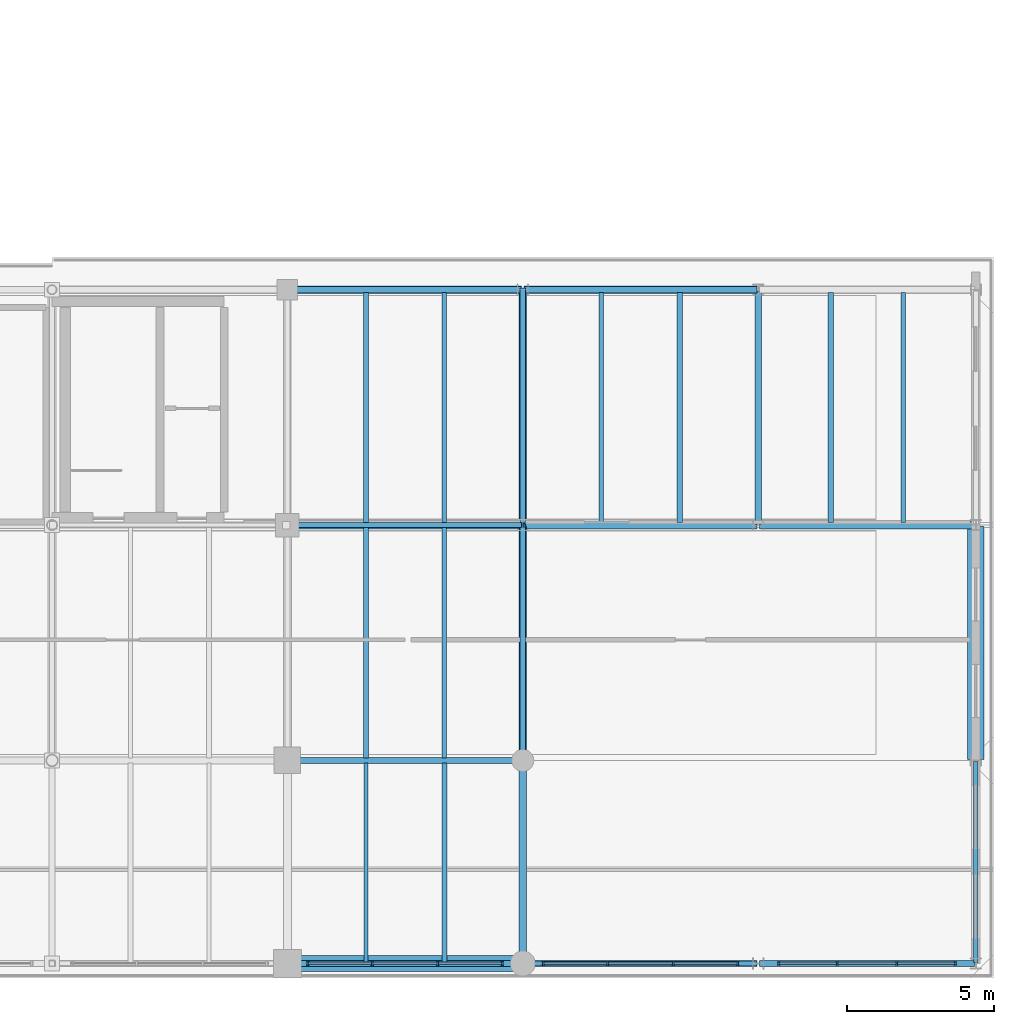
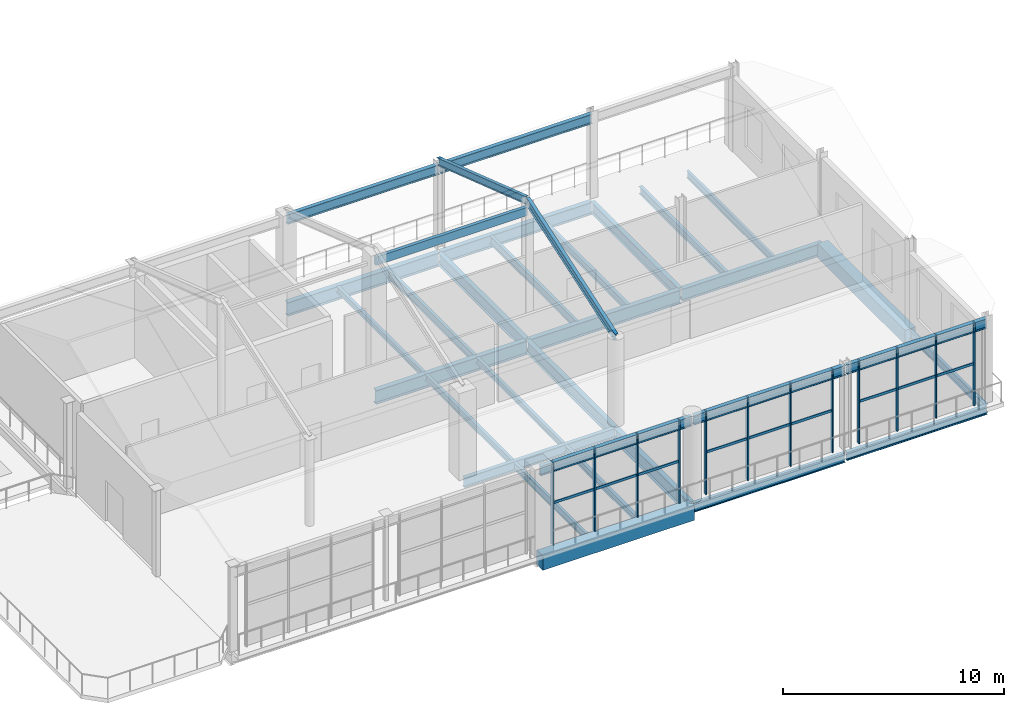
# One storey, part 25 of 51: 30 beams, 24 members, 3 elements without a shape of their own.
"""IFC4 building model written with IfcOpenShell, lengths in metres."""

from ifc_helpers import new_model, si_unit, direction, frame, origin, origin_2d, place, context, subcontext, project, spatial, rectangle, i_section, extrude, material, material_profile, profile_set, type_object, element, aggregate, save


model = new_model("IFC4")

# Units and contexts
model_context = context("Model", 3, precision=1e-05, world=origin(), true_north=direction((0.0, 1.0)))
body_context = subcontext(model_context, "Body", "Model", "MODEL_VIEW")
ifc_project = project(units=[si_unit("LENGTHUNIT", "METRE"), si_unit("AREAUNIT", "SQUARE_METRE"), si_unit("VOLUMEUNIT", "CUBIC_METRE"), si_unit("PLANEANGLEUNIT", "RADIAN"), si_unit("MASSUNIT", "GRAM", prefix="KILO")], contexts=[model_context])

# Site, building, storey
site_placement = place(None, origin())
site = spatial("IfcSite", under=ifc_project, at=site_placement, CompositionType="ELEMENT")
building_placement = place(site_placement, origin())
building = spatial("IfcBuilding", under=site, at=building_placement, Name="Brisemont Oceanarium", CompositionType="ELEMENT")
storey_placement = place(building_placement, frame((0.0, 0.0, 15.0)))
storey = spatial("IfcBuildingStorey", under=building, at=storey_placement, Name="L03", CompositionType="ELEMENT", Elevation=15.0)

# Beams
ifc_material_1 = material(Name="Concrete C40/50", Category="concrete")
ifc_material_profile_1 = material_profile(ifc_material_1, rectangle(XDim=0.550048828125, YDim=0.800048828125, at=origin_2d()), Name="RC-BM-550X800")
ifc_profile_set_1 = profile_set([ifc_material_profile_1], Name="Concrete C40/50")
beam_type_1 = type_object("IfcBeamType", Name="BM-RC550X800", PredefinedType="SPANDREL", material=ifc_profile_set_1)
for number, where, z_axis, x_axis, name in (
    (1, (136.0400390625, 1.10009765625, -0.639892578125), (1.0, 0.0, 0.0), (0.0, 1.0, 0.0), "V3 L03 EW girder"),
    (2, (159.39990234375, 8.0400390625, -0.639892578125), (0.0, 1.0, 0.0), (-1.0, 0.0, 0.0), "V3 L03 NS girder"),
):
    element("IfcBeam", number, at=place(storey_placement, frame(where, z_axis=z_axis, x_axis=x_axis)), inside=storey, type_object=beam_type_1, Name=name, PredefinedType="SPANDREL", context=body_context, shape_type="SweptSolid", body=[
        extrude(rectangle(XDim=0.550048828125, YDim=0.800048828125, at=origin_2d()), origin(), (0.0, 0.0, 1.0), 7.919921875),
    ])
ifc_material_2 = material(Name="Structural Steel ASTM A992 Gr.50", Category="steel")
ifc_material_profile_2 = material_profile(ifc_material_2, i_section(OverallWidth=0.1650390625, OverallDepth=0.31005859375, WebThickness=0.005859375, FlangeThickness=0.009765625, FilletRadius=0.008056640625, at=origin_2d()), Name="W12X26")
ifc_profile_set_2 = profile_set([ifc_material_profile_2], Name="Structural Steel ASTM A992 Gr.50")
beam_type_2 = type_object("IfcBeamType", Name="BM-W12X26", PredefinedType="JOIST", material=ifc_profile_set_2)
for number, where, z_axis, x_axis, name in (
    (3, (141.333251953125, 8.090087890625, -0.39501953125), (0.0, 1.0, 0.0), (-1.0, 0.0, 0.0), "V3 L03 secondary floor beam"),
    (4, (138.666748046875, 16.090087890625, -0.39501953125), (0.0, 1.0, 0.0), (-1.0, 0.0, 0.0), "V3 L03 secondary floor beam"),
):
    element("IfcBeam", number, at=place(storey_placement, frame(where, z_axis=z_axis, x_axis=x_axis)), inside=storey, type_object=beam_type_2, Name=name, PredefinedType="JOIST", context=body_context, shape_type="SweptSolid", body=[
        extrude(i_section(OverallWidth=0.1650390625, OverallDepth=0.31005859375, WebThickness=0.005859375, FlangeThickness=0.009765625, FilletRadius=0.008056640625, at=origin_2d()), origin(), (0.0, 0.0, 1.0), 7.81982421875),
    ])
ifc_material_3 = material(Name="Structural Steel ASTM A992 Gr.50", Category="steel")
ifc_material_profile_3 = material_profile(ifc_material_3, i_section(OverallWidth=0.1708984375, OverallDepth=0.35107421875, WebThickness=0.0068359375, FlangeThickness=0.009765625, FilletRadius=0.010009765625, at=origin_2d()), Name="W14X30")
ifc_profile_set_3 = profile_set([ifc_material_profile_3], Name="Structural Steel ASTM A992 Gr.50")
beam_type_3 = type_object("IfcBeamType", Name="BM-W14X30", PredefinedType="JOIST", material=ifc_profile_set_3)
beam_1_placement = place(storey_placement, frame((141.333251953125, 1.139892578125, -0.41552734375), z_axis=(0.0, 1.0, 0.0), x_axis=(-1.0, 0.0, 0.0)))
element("IfcBeam", 5, at=beam_1_placement, inside=storey, type_object=beam_type_3, Name="V3 L03 secondary floor beam", PredefinedType="JOIST", context=body_context, shape_type="SweptSolid", body=[
    extrude(i_section(OverallWidth=0.1708984375, OverallDepth=0.35107421875, WebThickness=0.0068359375, FlangeThickness=0.009765625, FilletRadius=0.010009765625, at=origin_2d()), origin(), (0.0, 0.0, 1.0), 6.77001953125),
])
beam_2_placement = place(storey_placement, frame((138.666748046875, 8.090087890625, -0.41552734375), z_axis=(0.0, 1.0, 0.0), x_axis=(-1.0, 0.0, 0.0)))
element("IfcBeam", 6, at=beam_2_placement, inside=storey, type_object=beam_type_3, Name="V3 L03 secondary floor beam", PredefinedType="JOIST", context=body_context, shape_type="SweptSolid", body=[
    extrude(i_section(OverallWidth=0.1708984375, OverallDepth=0.35107421875, WebThickness=0.0068359375, FlangeThickness=0.009765625, FilletRadius=0.010009765625, at=origin_2d()), origin(), (0.0, 0.0, 1.0), 7.81982421875),
])
ifc_material_4 = material(Name="Structural Steel ASTM A992 Gr.50", Category="steel")
ifc_material_profile_4 = material_profile(ifc_material_4, i_section(OverallWidth=0.139892578125, OverallDepth=0.39892578125, WebThickness=0.00634765625, FlangeThickness=0.0087890625, FilletRadius=0.010009765625, at=origin_2d()), Name="W16X26")
ifc_profile_set_4 = profile_set([ifc_material_profile_4], Name="Structural Steel ASTM A992 Gr.50")
beam_type_4 = type_object("IfcBeamType", Name="BM-W16X26", PredefinedType="JOIST", material=ifc_profile_set_4)
beam_3_placement = place(storey_placement, frame((138.666748046875, 1.139892578125, -0.439453125), z_axis=(0.0, 1.0, 0.0), x_axis=(-1.0, 0.0, 0.0)))
element("IfcBeam", 7, at=beam_3_placement, inside=storey, type_object=beam_type_4, Name="V3 L03 secondary floor beam", PredefinedType="JOIST", context=body_context, shape_type="SweptSolid", body=[
    extrude(i_section(OverallWidth=0.139892578125, OverallDepth=0.39892578125, WebThickness=0.00634765625, FlangeThickness=0.0087890625, FilletRadius=0.010009765625, at=origin_2d()), origin(), (0.0, 0.0, 1.0), 6.77001953125),
])
beam_4_placement = place(storey_placement, frame((156.933349609375, 16.090087890625, -0.439453125), z_axis=(0.0, 1.0, 0.0), x_axis=(-1.0, 0.0, 0.0)))
element("IfcBeam", 8, at=beam_4_placement, inside=storey, type_object=beam_type_4, Name="V3 L03 secondary floor beam", PredefinedType="JOIST", context=body_context, shape_type="SweptSolid", body=[
    extrude(i_section(OverallWidth=0.139892578125, OverallDepth=0.39892578125, WebThickness=0.00634765625, FlangeThickness=0.0087890625, FilletRadius=0.010009765625, at=origin_2d()), origin(), (0.0, 0.0, 1.0), 7.81982421875),
])
ifc_material_5 = material(Name="Structural Steel ASTM A992 Gr.50", Category="steel")
ifc_material_profile_5 = material_profile(ifc_material_5, i_section(OverallWidth=0.177978515625, OverallDepth=0.404052734375, WebThickness=0.007568359375, FlangeThickness=0.010986328125, FilletRadius=0.010009765625, at=origin_2d()), Name="W16X36")
ifc_profile_set_5 = profile_set([ifc_material_profile_5], Name="Structural Steel ASTM A992 Gr.50")
beam_type_5 = type_object("IfcBeamType", Name="BM-W16X36", PredefinedType="JOIST", material=ifc_profile_set_5)
for number, where, z_axis, x_axis, name in (
    (9, (149.333251953125, 16.090087890625, -0.44189453125), (0.0, 1.0, 0.0), (-1.0, 0.0, 0.0), "V3 L03 secondary floor beam"),
    (10, (154.466796875, 16.090087890625, -0.44189453125), (0.0, 1.0, 0.0), (-1.0, 0.0, 0.0), "V3 L03 secondary floor beam"),
):
    element("IfcBeam", number, at=place(storey_placement, frame(where, z_axis=z_axis, x_axis=x_axis)), inside=storey, type_object=beam_type_5, Name=name, PredefinedType="JOIST", context=body_context, shape_type="SweptSolid", body=[
        extrude(i_section(OverallWidth=0.177978515625, OverallDepth=0.404052734375, WebThickness=0.007568359375, FlangeThickness=0.010986328125, FilletRadius=0.010009765625, at=origin_2d()), origin(), (0.0, 0.0, 1.0), 7.81982421875),
    ])
ifc_material_6 = material(Name="Structural Steel ASTM A992 Gr.50", Category="steel")
ifc_material_profile_6 = material_profile(ifc_material_6, i_section(OverallWidth=0.153076171875, OverallDepth=0.455078125, WebThickness=0.008056640625, FlangeThickness=0.01318359375, FilletRadius=0.010986328125, at=origin_2d()), Name="W18X40")
ifc_profile_set_6 = profile_set([ifc_material_profile_6], Name="Structural Steel ASTM A992 Gr.50")
beam_type_6 = type_object("IfcBeamType", Name="BM-W18X40", PredefinedType="JOIST", material=ifc_profile_set_6)
for number, where, z_axis, x_axis, name in (
    (11, (141.333251953125, 16.090087890625, -0.467529296875), (0.0, 1.0, 0.0), (-1.0, 0.0, 0.0), "V3 L03 secondary floor beam"),
    (12, (146.666748046875, 16.090087890625, -0.467529296875), (0.0, 1.0, 0.0), (-1.0, 0.0, 0.0), "V3 L03 secondary floor beam"),
):
    element("IfcBeam", number, at=place(storey_placement, frame(where, z_axis=z_axis, x_axis=x_axis)), inside=storey, type_object=beam_type_6, Name=name, PredefinedType="JOIST", context=body_context, shape_type="SweptSolid", body=[
        extrude(i_section(OverallWidth=0.153076171875, OverallDepth=0.455078125, WebThickness=0.008056640625, FlangeThickness=0.01318359375, FilletRadius=0.010986328125, at=origin_2d()), origin(), (0.0, 0.0, 1.0), 7.81982421875),
    ])
ifc_material_7 = material(Name="Structural Steel ASTM A992 Gr.50", Category="steel")
ifc_material_profile_7 = material_profile(ifc_material_7, i_section(OverallWidth=0.154052734375, OverallDepth=0.458984375, WebThickness=0.009033203125, FlangeThickness=0.015380859375, FilletRadius=0.010986328125, at=origin_2d()), Name="W18X46")
ifc_profile_set_7 = profile_set([ifc_material_profile_7], Name="Structural Steel ASTM A992 Gr.50")
beam_type_7 = type_object("IfcBeamType", Name="BM-W18X46", PredefinedType="SPANDREL", material=ifc_profile_set_7)
beam_5_placement = place(storey_placement, frame((159.39990234375, 1.139892578125, -0.469482421875), z_axis=(0.0, 1.0, 0.0), x_axis=(-1.0, 0.0, 0.0)))
element("IfcBeam", 13, at=beam_5_placement, inside=storey, type_object=beam_type_7, Name="V3 L03 NS girder", PredefinedType="SPANDREL", context=body_context, shape_type="SweptSolid", body=[
    extrude(i_section(OverallWidth=0.154052734375, OverallDepth=0.458984375, WebThickness=0.009033203125, FlangeThickness=0.015380859375, FilletRadius=0.010986328125, at=origin_2d()), origin(), (0.0, 0.0, 1.0), 6.820068359375),
])
ifc_material_8 = material(Name="Structural Steel ASTM A992 Gr.50", Category="steel")
ifc_material_profile_8 = material_profile(ifc_material_8, i_section(OverallWidth=0.19091796875, OverallDepth=0.4599609375, WebThickness=0.010009765625, FlangeThickness=0.01611328125, FilletRadius=0.010986328125, at=origin_2d()), Name="W18X55")
ifc_profile_set_8 = profile_set([ifc_material_profile_8], Name="Structural Steel ASTM A992 Gr.50")
beam_type_8 = type_object("IfcBeamType", Name="BM-W18X55", PredefinedType="SPANDREL", material=ifc_profile_set_8)
beam_6_placement = place(storey_placement, frame((152.0400390625, 1.10009765625, -0.469970703125), z_axis=(1.0, 0.0, 0.0), x_axis=(0.0, 1.0, 0.0)))
element("IfcBeam", 14, at=beam_6_placement, inside=storey, type_object=beam_type_8, Name="V3 L03 EW girder", PredefinedType="SPANDREL", context=body_context, shape_type="SweptSolid", body=[
    extrude(i_section(OverallWidth=0.19091796875, OverallDepth=0.4599609375, WebThickness=0.010009765625, FlangeThickness=0.01611328125, FilletRadius=0.010986328125, at=origin_2d()), origin(), (0.0, 0.0, 1.0), 7.320068359375),
])
ifc_material_9 = material(Name="Structural Steel ASTM A992 Gr.50", Category="steel")
ifc_material_profile_9 = material_profile(ifc_material_9, i_section(OverallWidth=0.166015625, OverallDepth=0.528076171875, WebThickness=0.009765625, FlangeThickness=0.013671875, FilletRadius=0.012939453125, at=origin_2d()), Name="W21X50")
ifc_profile_set_9 = profile_set([ifc_material_profile_9], Name="Structural Steel ASTM A992 Gr.50")
beam_type_9 = type_object("IfcBeamType", Name="BM-W21X50", PredefinedType="SPANDREL", material=ifc_profile_set_9)
beam_7_placement = place(storey_placement, frame((144.0400390625, 1.10009765625, -0.50390625), z_axis=(1.0, 0.0, 0.0), x_axis=(0.0, 1.0, 0.0)))
element("IfcBeam", 15, at=beam_7_placement, inside=storey, type_object=beam_type_9, Name="V3 L03 EW girder", PredefinedType="SPANDREL", context=body_context, shape_type="SweptSolid", body=[
    extrude(i_section(OverallWidth=0.166015625, OverallDepth=0.528076171875, WebThickness=0.009765625, FlangeThickness=0.013671875, FilletRadius=0.012939453125, at=origin_2d()), origin(), (0.0, 0.0, 1.0), 7.919921875),
])
ifc_material_10 = material(Name="Structural Steel ASTM A992 Gr.50", Category="steel")
ifc_material_profile_10 = material_profile(ifc_material_10, i_section(OverallWidth=0.2099609375, OverallDepth=0.532958984375, WebThickness=0.01025390625, FlangeThickness=0.015625, FilletRadius=0.012939453125, at=origin_2d()), Name="W21X62")
ifc_profile_set_10 = profile_set([ifc_material_profile_10], Name="Structural Steel ASTM A992 Gr.50")
beam_type_10 = type_object("IfcBeamType", Name="BM-W21X62", PredefinedType="BEAM", material=ifc_profile_set_10)
for number, where, z_axis, x_axis, name in (
    (16, (136.0400390625, 8.0, -0.506591796875), (1.0, 0.0, 0.0), (0.0, 1.0, 0.0), "V3 L03 EW girder"),
    (17, (136.0400390625, 1.10009765625, 4.33349609375), (1.0, 0.0, 0.0), (0.0, 1.0, 0.0), "V3 roof eave girder"),
    (18, (144.0400390625, 1.10009765625, 4.33349609375), (1.0, 0.0, 0.0), (0.0, 1.0, 0.0), "V3 roof eave girder"),
):
    element("IfcBeam", number, at=place(storey_placement, frame(where, z_axis=z_axis, x_axis=x_axis)), inside=storey, type_object=beam_type_10, Name=name, PredefinedType="BEAM", context=body_context, shape_type="SweptSolid", body=[
        extrude(i_section(OverallWidth=0.2099609375, OverallDepth=0.532958984375, WebThickness=0.01025390625, FlangeThickness=0.015625, FilletRadius=0.012939453125, at=origin_2d()), origin(), (0.0, 0.0, 1.0), 7.919921875),
    ])
beam_8_placement = place(storey_placement, frame((152.0400390625, 1.10009765625, 4.33349609375), z_axis=(1.0, 0.0, 0.0), x_axis=(0.0, 1.0, 0.0)))
element("IfcBeam", 19, at=beam_8_placement, inside=storey, type_object=beam_type_10, Name="V3 roof eave girder", PredefinedType="BEAM", context=body_context, shape_type="SweptSolid", body=[
    extrude(i_section(OverallWidth=0.2099609375, OverallDepth=0.532958984375, WebThickness=0.01025390625, FlangeThickness=0.015625, FilletRadius=0.012939453125, at=origin_2d()), origin(), (0.0, 0.0, 1.0), 7.320068359375),
])
for number, where, z_axis, x_axis, name in (
    (20, (136.0400390625, 24.0, 4.33349609375), (1.0, 0.0, 0.0), (0.0, 1.0, 0.0), "V3 roof eave girder"),
    (21, (144.0400390625, 24.0, 4.33349609375), (1.0, 0.0, 0.0), (0.0, 1.0, 0.0), "V3 roof eave girder"),
):
    element("IfcBeam", number, at=place(storey_placement, frame(where, z_axis=z_axis, x_axis=x_axis)), inside=storey, type_object=beam_type_10, Name=name, PredefinedType="BEAM", context=body_context, shape_type="SweptSolid", body=[
        extrude(i_section(OverallWidth=0.2099609375, OverallDepth=0.532958984375, WebThickness=0.01025390625, FlangeThickness=0.015625, FilletRadius=0.012939453125, at=origin_2d()), origin(), (0.0, 0.0, 1.0), 7.919921875),
    ])
ifc_material_11 = material(Name="Structural Steel ASTM A992 Gr.50", Category="steel")
ifc_material_profile_11 = material_profile(ifc_material_11, i_section(OverallWidth=0.22900390625, OverallDepth=0.612060546875, WebThickness=0.011962890625, FlangeThickness=0.01953125, FilletRadius=0.012939453125, at=origin_2d()), Name="W24X84")
ifc_profile_set_11 = profile_set([ifc_material_profile_11], Name="Structural Steel ASTM A992 Gr.50")
beam_type_11 = type_object("IfcBeamType", Name="BM-W24X84", PredefinedType="BEAM", material=ifc_profile_set_11)
beam_9_placement = place(storey_placement, frame((152.0, 16.0400390625, -0.5458984375), z_axis=(0.0, 1.0, 0.0), x_axis=(-1.0, 0.0, 0.0)))
element("IfcBeam", 22, at=beam_9_placement, inside=storey, type_object=beam_type_11, Name="V3 L03 NS girder", PredefinedType="BEAM", context=body_context, shape_type="SweptSolid", body=[
    extrude(i_section(OverallWidth=0.22900390625, OverallDepth=0.612060546875, WebThickness=0.011962890625, FlangeThickness=0.01953125, FilletRadius=0.012939453125, at=origin_2d()), origin(), (0.0, 0.0, 1.0), 7.919921875),
])
ifc_material_12 = material(Name="Structural Steel ASTM A992 Gr.50", Category="steel")
ifc_material_profile_12 = material_profile(ifc_material_12, i_section(OverallWidth=0.2529296875, OverallDepth=0.677978515625, WebThickness=0.01171875, FlangeThickness=0.016357421875, FilletRadius=0.014892578125, at=origin_2d()), Name="W27X84")
ifc_profile_set_12 = profile_set([ifc_material_profile_12], Name="Structural Steel ASTM A992 Gr.50")
beam_type_12 = type_object("IfcBeamType", Name="BM-W27X84", PredefinedType="BEAM", material=ifc_profile_set_12)
beam_10_placement = place(storey_placement, frame((144.0, 16.0400390625, -0.5791015625), z_axis=(0.0, 1.0, 0.0), x_axis=(-1.0, 0.0, 0.0)))
element("IfcBeam", 23, at=beam_10_placement, inside=storey, type_object=beam_type_12, Name="V3 L03 NS girder", PredefinedType="BEAM", context=body_context, shape_type="SweptSolid", body=[
    extrude(i_section(OverallWidth=0.2529296875, OverallDepth=0.677978515625, WebThickness=0.01171875, FlangeThickness=0.016357421875, FilletRadius=0.014892578125, at=origin_2d()), origin(), (0.0, 0.0, 1.0), 7.919921875),
])
ifc_material_13 = material(Name="Structural Steel ASTM A992 Gr.50", Category="steel")
ifc_material_profile_13 = material_profile(ifc_material_13, i_section(OverallWidth=0.25390625, OverallDepth=0.68310546875, WebThickness=0.012451171875, FlangeThickness=0.018798828125, FilletRadius=0.014892578125, at=origin_2d()), Name="W27X94")
ifc_profile_set_13 = profile_set([ifc_material_profile_13], Name="Structural Steel ASTM A992 Gr.50")
beam_type_13 = type_object("IfcBeamType", Name="BM-W27X94", PredefinedType="BEAM", material=ifc_profile_set_13)
beam_11_placement = place(storey_placement, frame((152.0400390625, 16.0, -0.58154296875), z_axis=(1.0, 0.0, 0.0), x_axis=(0.0, 1.0, 0.0)))
element("IfcBeam", 24, at=beam_11_placement, inside=storey, type_object=beam_type_13, Name="V3 L03 EW girder", PredefinedType="BEAM", context=body_context, shape_type="SweptSolid", body=[
    extrude(i_section(OverallWidth=0.25390625, OverallDepth=0.68310546875, WebThickness=0.012451171875, FlangeThickness=0.018798828125, FilletRadius=0.014892578125, at=origin_2d()), origin(), (0.0, 0.0, 1.0), 7.320068359375),
])
for number, where, z_axis, x_axis, name in (
    (25, (144.0400390625, 24.0, -0.58154296875), (1.0, 0.0, 0.0), (0.0, 1.0, 0.0), "V3 L03 EW girder"),
    (26, (144.0, 8.0400390625, -0.58154296875), (0.0, 1.0, 0.0), (-1.0, 0.0, 0.0), "V3 L03 NS girder"),
):
    element("IfcBeam", number, at=place(storey_placement, frame(where, z_axis=z_axis, x_axis=x_axis)), inside=storey, type_object=beam_type_13, Name=name, PredefinedType="BEAM", context=body_context, shape_type="SweptSolid", body=[
        extrude(i_section(OverallWidth=0.25390625, OverallDepth=0.68310546875, WebThickness=0.012451171875, FlangeThickness=0.018798828125, FilletRadius=0.014892578125, at=origin_2d()), origin(), (0.0, 0.0, 1.0), 7.919921875),
    ])
ifc_material_14 = material(Name="Structural Steel ASTM A992 Gr.50", Category="steel")
ifc_material_profile_14 = material_profile(ifc_material_14, i_section(OverallWidth=0.26708984375, OverallDepth=0.761962890625, WebThickness=0.014404296875, FlangeThickness=0.021484375, FilletRadius=0.01611328125, at=origin_2d()), Name="W30X116")
ifc_profile_set_14 = profile_set([ifc_material_profile_14], Name="Structural Steel ASTM A992 Gr.50")
beam_type_14 = type_object("IfcBeamType", Name="BM-W30X116", PredefinedType="BEAM", material=ifc_profile_set_14)
beam_12_placement = place(storey_placement, frame((136.0400390625, 16.0, -0.62109375), z_axis=(1.0, 0.0, 0.0), x_axis=(0.0, 1.0, 0.0)))
element("IfcBeam", 27, at=beam_12_placement, inside=storey, type_object=beam_type_14, Name="V3 L03 EW girder", PredefinedType="BEAM", context=body_context, shape_type="SweptSolid", body=[
    extrude(i_section(OverallWidth=0.26708984375, OverallDepth=0.761962890625, WebThickness=0.014404296875, FlangeThickness=0.021484375, FilletRadius=0.01611328125, at=origin_2d()), origin(), (0.0, 0.0, 1.0), 7.919921875),
])
ifc_material_15 = material(Name="Structural Steel ASTM A992 Gr.50", Category="steel")
ifc_material_profile_15 = material_profile(ifc_material_15, i_section(OverallWidth=0.264892578125, OverallDepth=0.7529296875, WebThickness=0.01318359375, FlangeThickness=0.01708984375, FilletRadius=0.01611328125, at=origin_2d()), Name="W30X99")
ifc_profile_set_15 = profile_set([ifc_material_profile_15], Name="Structural Steel ASTM A992 Gr.50")
beam_type_15 = type_object("IfcBeamType", Name="BM-W30X99", PredefinedType="BEAM", material=ifc_profile_set_15)
for number, where, z_axis, x_axis, name in (
    (28, (144.0400390625, 16.0, -0.616455078125), (1.0, 0.0, 0.0), (0.0, 1.0, 0.0), "V3 L03 EW girder"),
    (29, (136.0400390625, 24.0, -0.616455078125), (1.0, 0.0, 0.0), (0.0, 1.0, 0.0), "V3 L03 EW girder"),
):
    element("IfcBeam", number, at=place(storey_placement, frame(where, z_axis=z_axis, x_axis=x_axis)), inside=storey, type_object=beam_type_15, Name=name, PredefinedType="BEAM", context=body_context, shape_type="SweptSolid", body=[
        extrude(i_section(OverallWidth=0.264892578125, OverallDepth=0.7529296875, WebThickness=0.01318359375, FlangeThickness=0.01708984375, FilletRadius=0.01611328125, at=origin_2d()), origin(), (0.0, 0.0, 1.0), 7.919921875),
    ])
beam_13_placement = place(storey_placement, frame((144.0, 1.139892578125, -0.616455078125), z_axis=(0.0, 1.0, 0.0), x_axis=(-1.0, 0.0, 0.0)))
element("IfcBeam", 30, at=beam_13_placement, inside=storey, type_object=beam_type_15, Name="V3 L03 NS girder", PredefinedType="BEAM", context=body_context, shape_type="SweptSolid", body=[
    extrude(i_section(OverallWidth=0.264892578125, OverallDepth=0.7529296875, WebThickness=0.01318359375, FlangeThickness=0.01708984375, FilletRadius=0.01611328125, at=origin_2d()), origin(), (0.0, 0.0, 1.0), 6.820068359375),
])

# Curtain wall, members
ifc_material_16 = material(Name="Anodized Extruded Aluminum 6063-T6", Category="aluminium")
curtain_wall_type = type_object("IfcCurtainWallType", Name="CW-EDU-58X43", PredefinedType="NOTDEFINED", material=ifc_material_16)
curtain_wall_1_placement = place(storey_placement, origin())
curtain_wall_1 = element("IfcCurtainWall", 31, at=curtain_wall_1_placement, inside=storey, type_object=curtain_wall_type, Name="CW-10 curtain wall CW-V3-S-L03-03", PredefinedType="NOTDEFINED")
ifc_material_17 = material(Name="Anodized Extruded Aluminum 6063-T6", Category="aluminium")
ifc_material_profile_16 = material_profile(ifc_material_17, rectangle(XDim=0.06494140625, YDim=0.179931640625, at=origin_2d()), Name="CWM-65X180")
ifc_profile_set_16 = profile_set([ifc_material_profile_16], Name="Anodized Extruded Aluminum 6063-T6")
member_type_1 = type_object("IfcMemberType", Name="MEM-CWM-65", PredefinedType="MULLION", material=ifc_profile_set_16)
member_1_placement = place(storey_placement, frame((136.695068359375, 1.10009765625, 0.0), z_axis=(0.0, 0.0, 1.0), x_axis=(1.0, 0.0, 0.0)))
member_1 = element("IfcMember", 32, at=member_1_placement, type_object=member_type_1, Name="CW-V3-S-L03-03 mullion 1", PredefinedType="MULLION", context=body_context, shape_type="SweptSolid", body=[
    extrude(rectangle(XDim=0.06494140625, YDim=0.179931640625, at=origin_2d()), origin(), (0.0, 0.0, 1.0), 4.60009765625),
])
member_2_placement = place(storey_placement, frame((138.88330078125, 1.10009765625, 0.0), z_axis=(0.0, 0.0, 1.0), x_axis=(1.0, 0.0, 0.0)))
member_2 = element("IfcMember", 33, at=member_2_placement, type_object=member_type_1, Name="CW-V3-S-L03-03 mullion 2", PredefinedType="MULLION", context=body_context, shape_type="SweptSolid", body=[
    extrude(rectangle(XDim=0.06494140625, YDim=0.179931640625, at=origin_2d()), origin(), (0.0, 0.0, 1.0), 4.60009765625),
])
member_3_placement = place(storey_placement, frame((141.11669921875, 1.10009765625, 0.0), z_axis=(0.0, 0.0, 1.0), x_axis=(1.0, 0.0, 0.0)))
member_3 = element("IfcMember", 34, at=member_3_placement, type_object=member_type_1, Name="CW-V3-S-L03-03 mullion 3", PredefinedType="MULLION", context=body_context, shape_type="SweptSolid", body=[
    extrude(rectangle(XDim=0.06494140625, YDim=0.179931640625, at=origin_2d()), origin(), (0.0, 0.0, 1.0), 4.60009765625),
])
member_4_placement = place(storey_placement, frame((143.304931640625, 1.10009765625, 0.0), z_axis=(0.0, 0.0, 1.0), x_axis=(1.0, 0.0, 0.0)))
member_4 = element("IfcMember", 35, at=member_4_placement, type_object=member_type_1, Name="CW-V3-S-L03-03 mullion 4", PredefinedType="MULLION", context=body_context, shape_type="SweptSolid", body=[
    extrude(rectangle(XDim=0.06494140625, YDim=0.179931640625, at=origin_2d()), origin(), (0.0, 0.0, 1.0), 4.60009765625),
])

curtain_wall_2_placement = place(storey_placement, origin())
curtain_wall_2 = element("IfcCurtainWall", 36, at=curtain_wall_2_placement, inside=storey, type_object=curtain_wall_type, Name="CW-10 curtain wall CW-V3-S-L03-04", PredefinedType="NOTDEFINED")
member_5_placement = place(storey_placement, frame((144.695068359375, 1.10009765625, 0.0), z_axis=(0.0, 0.0, 1.0), x_axis=(1.0, 0.0, 0.0)))
member_5 = element("IfcMember", 37, at=member_5_placement, type_object=member_type_1, Name="CW-V3-S-L03-04 mullion 1", PredefinedType="MULLION", context=body_context, shape_type="SweptSolid", body=[
    extrude(rectangle(XDim=0.06494140625, YDim=0.179931640625, at=origin_2d()), origin(), (0.0, 0.0, 1.0), 4.60009765625),
])
member_6_placement = place(storey_placement, frame((146.88330078125, 1.10009765625, 0.0), z_axis=(0.0, 0.0, 1.0), x_axis=(1.0, 0.0, 0.0)))
member_6 = element("IfcMember", 38, at=member_6_placement, type_object=member_type_1, Name="CW-V3-S-L03-04 mullion 2", PredefinedType="MULLION", context=body_context, shape_type="SweptSolid", body=[
    extrude(rectangle(XDim=0.06494140625, YDim=0.179931640625, at=origin_2d()), origin(), (0.0, 0.0, 1.0), 4.60009765625),
])
member_7_placement = place(storey_placement, frame((149.11669921875, 1.10009765625, 0.0), z_axis=(0.0, 0.0, 1.0), x_axis=(1.0, 0.0, 0.0)))
member_7 = element("IfcMember", 39, at=member_7_placement, type_object=member_type_1, Name="CW-V3-S-L03-04 mullion 3", PredefinedType="MULLION", context=body_context, shape_type="SweptSolid", body=[
    extrude(rectangle(XDim=0.06494140625, YDim=0.179931640625, at=origin_2d()), origin(), (0.0, 0.0, 1.0), 4.60009765625),
])
member_8_placement = place(storey_placement, frame((151.304931640625, 1.10009765625, 0.0), z_axis=(0.0, 0.0, 1.0), x_axis=(1.0, 0.0, 0.0)))
member_8 = element("IfcMember", 40, at=member_8_placement, type_object=member_type_1, Name="CW-V3-S-L03-04 mullion 4", PredefinedType="MULLION", context=body_context, shape_type="SweptSolid", body=[
    extrude(rectangle(XDim=0.06494140625, YDim=0.179931640625, at=origin_2d()), origin(), (0.0, 0.0, 1.0), 4.60009765625),
])

curtain_wall_3_placement = place(storey_placement, origin())
curtain_wall_3 = element("IfcCurtainWall", 41, at=curtain_wall_3_placement, inside=storey, type_object=curtain_wall_type, Name="CW-10 curtain wall CW-V3-S-L03-05", PredefinedType="NOTDEFINED")
member_9_placement = place(storey_placement, frame((152.695068359375, 1.10009765625, 0.0), z_axis=(0.0, 0.0, 1.0), x_axis=(1.0, 0.0, 0.0)))
member_9 = element("IfcMember", 42, at=member_9_placement, type_object=member_type_1, Name="CW-V3-S-L03-05 mullion 1", PredefinedType="MULLION", context=body_context, shape_type="SweptSolid", body=[
    extrude(rectangle(XDim=0.06494140625, YDim=0.179931640625, at=origin_2d()), origin(), (0.0, 0.0, 1.0), 4.60009765625),
])
member_10_placement = place(storey_placement, frame((154.683349609375, 1.10009765625, 0.0), z_axis=(0.0, 0.0, 1.0), x_axis=(1.0, 0.0, 0.0)))
member_10 = element("IfcMember", 43, at=member_10_placement, type_object=member_type_1, Name="CW-V3-S-L03-05 mullion 2", PredefinedType="MULLION", context=body_context, shape_type="SweptSolid", body=[
    extrude(rectangle(XDim=0.06494140625, YDim=0.179931640625, at=origin_2d()), origin(), (0.0, 0.0, 1.0), 4.60009765625),
])
member_11_placement = place(storey_placement, frame((156.716796875, 1.10009765625, 0.0), z_axis=(0.0, 0.0, 1.0), x_axis=(1.0, 0.0, 0.0)))
member_11 = element("IfcMember", 44, at=member_11_placement, type_object=member_type_1, Name="CW-V3-S-L03-05 mullion 3", PredefinedType="MULLION", context=body_context, shape_type="SweptSolid", body=[
    extrude(rectangle(XDim=0.06494140625, YDim=0.179931640625, at=origin_2d()), origin(), (0.0, 0.0, 1.0), 4.60009765625),
])
member_12_placement = place(storey_placement, frame((158.705078125, 1.10009765625, 0.0), z_axis=(0.0, 0.0, 1.0), x_axis=(1.0, 0.0, 0.0)))
member_12 = element("IfcMember", 45, at=member_12_placement, type_object=member_type_1, Name="CW-V3-S-L03-05 mullion 4", PredefinedType="MULLION", context=body_context, shape_type="SweptSolid", body=[
    extrude(rectangle(XDim=0.06494140625, YDim=0.179931640625, at=origin_2d()), origin(), (0.0, 0.0, 1.0), 4.60009765625),
])

# Member
ifc_material_18 = material(Name="Anodized Extruded Aluminum 6063-T6", Category="aluminium")
ifc_material_profile_17 = material_profile(ifc_material_18, rectangle(XDim=0.06494140625, YDim=0.139892578125, at=origin_2d()), Name="CWT-65X140")
ifc_profile_set_17 = profile_set([ifc_material_profile_17], Name="Anodized Extruded Aluminum 6063-T6")
member_type_2 = type_object("IfcMemberType", Name="MEM-CWT-65", PredefinedType="USERDEFINED", material=ifc_profile_set_17)
member_13_placement = place(storey_placement, frame((136.6650390625, 1.10009765625, 2.300048828125), z_axis=(1.0, 0.0, 0.0), x_axis=(0.0, 1.0, 0.0)))
member_13 = element("IfcMember", 46, at=member_13_placement, type_object=member_type_2, Name="CW-V3-S-L03-03 transom 1.1", ObjectType="TRANSOM", PredefinedType="USERDEFINED", context=body_context, shape_type="SweptSolid", body=[
    extrude(rectangle(XDim=0.06494140625, YDim=0.139892578125, at=origin_2d()), origin(), (0.0, 0.0, 1.0), 2.203369140625),
])

member_14_placement = place(storey_placement, frame((138.898193359375, 1.10009765625, 2.300048828125), z_axis=(1.0, 0.0, 0.0), x_axis=(0.0, 1.0, 0.0)))
member_14 = element("IfcMember", 47, at=member_14_placement, type_object=member_type_2, Name="CW-V3-S-L03-03 transom 2.1", ObjectType="TRANSOM", PredefinedType="USERDEFINED", context=body_context, shape_type="SweptSolid", body=[
    extrude(rectangle(XDim=0.06494140625, YDim=0.139892578125, at=origin_2d()), origin(), (0.0, 0.0, 1.0), 2.20361328125),
])

member_15_placement = place(storey_placement, frame((141.131591796875, 1.10009765625, 2.300048828125), z_axis=(1.0, 0.0, 0.0), x_axis=(0.0, 1.0, 0.0)))
member_15 = element("IfcMember", 48, at=member_15_placement, type_object=member_type_2, Name="CW-V3-S-L03-03 transom 3.1", ObjectType="TRANSOM", PredefinedType="USERDEFINED", context=body_context, shape_type="SweptSolid", body=[
    extrude(rectangle(XDim=0.06494140625, YDim=0.139892578125, at=origin_2d()), origin(), (0.0, 0.0, 1.0), 2.203369140625),
])

aggregate(curtain_wall_1, [member_1, member_2, member_3, member_4, member_13, member_14, member_15])

member_16_placement = place(storey_placement, frame((144.6650390625, 1.10009765625, 2.300048828125), z_axis=(1.0, 0.0, 0.0), x_axis=(0.0, 1.0, 0.0)))
member_16 = element("IfcMember", 49, at=member_16_placement, type_object=member_type_2, Name="CW-V3-S-L03-04 transom 1.1", ObjectType="TRANSOM", PredefinedType="USERDEFINED", context=body_context, shape_type="SweptSolid", body=[
    extrude(rectangle(XDim=0.06494140625, YDim=0.139892578125, at=origin_2d()), origin(), (0.0, 0.0, 1.0), 2.203369140625),
])

member_17_placement = place(storey_placement, frame((146.898193359375, 1.10009765625, 2.300048828125), z_axis=(1.0, 0.0, 0.0), x_axis=(0.0, 1.0, 0.0)))
member_17 = element("IfcMember", 50, at=member_17_placement, type_object=member_type_2, Name="CW-V3-S-L03-04 transom 2.1", ObjectType="TRANSOM", PredefinedType="USERDEFINED", context=body_context, shape_type="SweptSolid", body=[
    extrude(rectangle(XDim=0.06494140625, YDim=0.139892578125, at=origin_2d()), origin(), (0.0, 0.0, 1.0), 2.20361328125),
])

member_18_placement = place(storey_placement, frame((149.131591796875, 1.10009765625, 2.300048828125), z_axis=(1.0, 0.0, 0.0), x_axis=(0.0, 1.0, 0.0)))
member_18 = element("IfcMember", 51, at=member_18_placement, type_object=member_type_2, Name="CW-V3-S-L03-04 transom 3.1", ObjectType="TRANSOM", PredefinedType="USERDEFINED", context=body_context, shape_type="SweptSolid", body=[
    extrude(rectangle(XDim=0.06494140625, YDim=0.139892578125, at=origin_2d()), origin(), (0.0, 0.0, 1.0), 2.203369140625),
])

aggregate(curtain_wall_2, [member_5, member_6, member_7, member_8, member_16, member_17, member_18])

member_19_placement = place(storey_placement, frame((152.6650390625, 1.10009765625, 2.300048828125), z_axis=(1.0, 0.0, 0.0), x_axis=(0.0, 1.0, 0.0)))
member_19 = element("IfcMember", 52, at=member_19_placement, type_object=member_type_2, Name="CW-V3-S-L03-05 transom 1.1", ObjectType="TRANSOM", PredefinedType="USERDEFINED", context=body_context, shape_type="SweptSolid", body=[
    extrude(rectangle(XDim=0.06494140625, YDim=0.139892578125, at=origin_2d()), origin(), (0.0, 0.0, 1.0), 2.003173828125),
])

member_20_placement = place(storey_placement, frame((154.6982421875, 1.10009765625, 2.300048828125), z_axis=(1.0, 0.0, 0.0), x_axis=(0.0, 1.0, 0.0)))
member_20 = element("IfcMember", 53, at=member_20_placement, type_object=member_type_2, Name="CW-V3-S-L03-05 transom 2.1", ObjectType="TRANSOM", PredefinedType="USERDEFINED", context=body_context, shape_type="SweptSolid", body=[
    extrude(rectangle(XDim=0.06494140625, YDim=0.139892578125, at=origin_2d()), origin(), (0.0, 0.0, 1.0), 2.00341796875),
])

member_21_placement = place(storey_placement, frame((156.731689453125, 1.10009765625, 2.300048828125), z_axis=(1.0, 0.0, 0.0), x_axis=(0.0, 1.0, 0.0)))
member_21 = element("IfcMember", 54, at=member_21_placement, type_object=member_type_2, Name="CW-V3-S-L03-05 transom 3.1", ObjectType="TRANSOM", PredefinedType="USERDEFINED", context=body_context, shape_type="SweptSolid", body=[
    extrude(rectangle(XDim=0.06494140625, YDim=0.139892578125, at=origin_2d()), origin(), (0.0, 0.0, 1.0), 2.00341796875),
])

aggregate(curtain_wall_3, [member_9, member_10, member_11, member_12, member_19, member_20, member_21])

# Members
ifc_material_19 = material(Name="Glulam Timber 24F-V4 DF", Category="wood")
ifc_material_profile_18 = material_profile(ifc_material_19, rectangle(XDim=0.1708984375, YDim=0.45703125, at=origin_2d()), Name="GL-171X457")
ifc_profile_set_18 = profile_set([ifc_material_profile_18], Name="Glulam Timber 24F-V4 DF")
member_type_3 = type_object("IfcMemberType", Name="MEM-PU-GL171", PredefinedType="PURLIN", material=ifc_profile_set_18)
member_22_placement = place(storey_placement, frame((136.0400390625, 16.0, 6.8701171875), z_axis=(1.0, 0.0, 0.0), x_axis=(0.0, 1.0, 0.0)))
element("IfcMember", 55, at=member_22_placement, inside=storey, type_object=member_type_3, Name="V3 ridge purlin 2", PredefinedType="PURLIN", context=body_context, shape_type="SweptSolid", body=[
    extrude(rectangle(XDim=0.1708984375, YDim=0.45703125, at=origin_2d()), origin(), (0.0, 0.0, 1.0), 7.919921875),
])
ifc_material_20 = material(Name="Structural Steel ASTM A992 Gr.50", Category="steel")
ifc_material_profile_19 = material_profile(ifc_material_20, i_section(OverallWidth=0.177978515625, OverallDepth=0.404052734375, WebThickness=0.007568359375, FlangeThickness=0.010986328125, FilletRadius=0.010009765625, at=origin_2d()), Name="W16X36")
ifc_profile_set_19 = profile_set([ifc_material_profile_19], Name="Structural Steel ASTM A992 Gr.50")
member_type_4 = type_object("IfcMemberType", Name="MEM-RF-W16X36", PredefinedType="RAFTER", material=ifc_profile_set_19)
for number, where, z_axis, x_axis, name in (
    (56, (144.0, 8.0, 4.719970703125), (0.0, 0.947494031165, 0.319773452474), (-1.0, 0.0, 0.0), "V3 pitched roof rafter 3A"),
    (57, (144.0, 24.0, 4.719970703125), (0.0, -0.947494031165, 0.319773452474), (1.0, 0.0, 0.0), "V3 pitched roof rafter 3B"),
):
    element("IfcMember", number, at=place(storey_placement, frame(where, z_axis=z_axis, x_axis=x_axis)), inside=storey, type_object=member_type_4, Name=name, PredefinedType="RAFTER", context=body_context, shape_type="SweptSolid", body=[
        extrude(i_section(OverallWidth=0.177978515625, OverallDepth=0.404052734375, WebThickness=0.007568359375, FlangeThickness=0.010986328125, FilletRadius=0.010009765625, at=origin_2d()), origin(), (0.0, 0.0, 1.0), 8.443359375),
    ])

save(model, "model.ifc")
